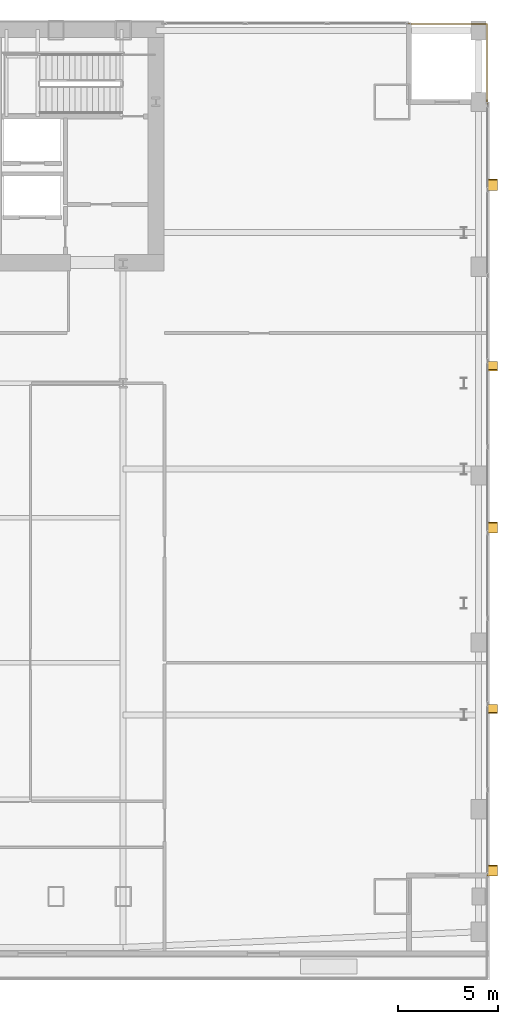
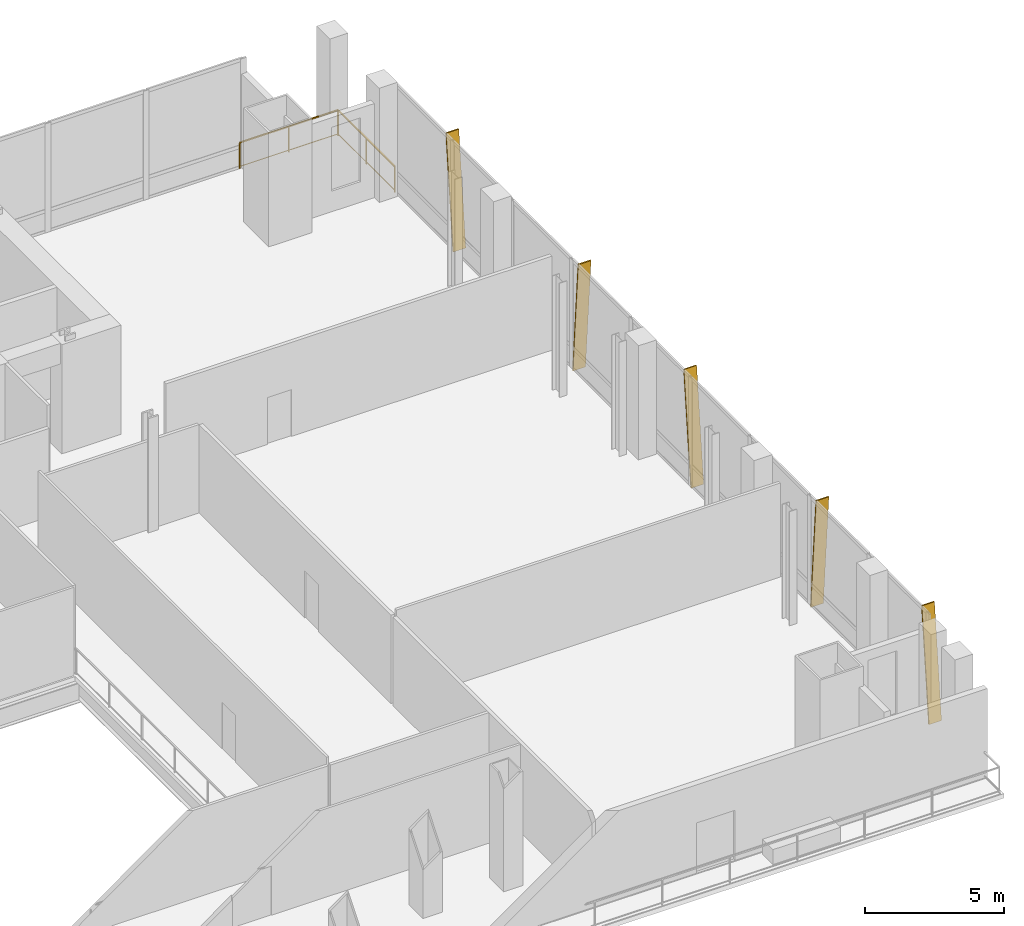
# One storey, part 25 of 25: 5 shading devices, 1 railing.
"""IFC4 building model written with IfcOpenShell, lengths in metres."""

from ifc_helpers import new_model, si_unit, direction, frame, origin, origin_2d, place, context, subcontext, project, spatial, polyline, rectangle, outline, extrude, material, layer, layer_set, type_object, element, save


model = new_model("IFC4")

# Units and contexts
model_context = context("Model", 3, precision=1e-05, world=origin(), true_north=direction((0.0, 1.0)))
body_context = subcontext(model_context, "Body", "Model", "MODEL_VIEW")
ifc_project = project(units=[si_unit("LENGTHUNIT", "METRE"), si_unit("AREAUNIT", "SQUARE_METRE"), si_unit("VOLUMEUNIT", "CUBIC_METRE"), si_unit("PLANEANGLEUNIT", "RADIAN"), si_unit("MASSUNIT", "GRAM", prefix="KILO")], contexts=[model_context])

# Site, building, storey
site_placement = place(None, origin())
site = spatial("IfcSite", under=ifc_project, at=site_placement, CompositionType="ELEMENT")
building_placement = place(site_placement, origin())
building = spatial("IfcBuilding", under=site, at=building_placement, Name="Khoronbel Lancet Exchange", CompositionType="ELEMENT")
storey_placement = place(building_placement, frame((0.0, 0.0, 15.39990234375)))
storey = spatial("IfcBuildingStorey", under=building, at=storey_placement, Name="L03", CompositionType="ELEMENT", Elevation=15.39990234375)

# Railing
ifc_material_1 = material(Name="Bronze-Anodised Stainless Steel", Category="steel")
railing_type = type_object("IfcRailingType", Name="RL-EXT115", PredefinedType="GUARDRAIL", material=ifc_material_1)
railing_placement = place(storey_placement, frame((68.699951171875, 53.580078125, 0.0)))
element("IfcRailing", 1, at=railing_placement, inside=storey, type_object=railing_type, Name="Level L03 north-east colonnade corner loggia guardrail", PredefinedType="GUARDRAIL", context=body_context, shape_type="SweptSolid", body=[
    extrude(rectangle(XDim=0.052001953125, YDim=0.052001953125, at=origin_2d()), frame((0.0, 0.0, 1.1240234375), z_axis=(1.0, 0.0, 0.0), x_axis=(0.0, 1.0, 0.0)), (0.0, 0.0, 1.0), 4.080078125),
    extrude(rectangle(XDim=0.02587890625, YDim=0.02587890625, at=origin_2d()), frame((0.0, 0.0, 0.080078125), z_axis=(1.0, 0.0, 0.0), x_axis=(0.0, 1.0, 0.0)), (0.0, 0.0, 1.0), 4.080078125),
    extrude(rectangle(XDim=0.052001953125, YDim=0.052001953125, at=origin_2d()), frame((4.080078125, 0.0, 1.1240234375), z_axis=(0.0, -1.0, 0.0), x_axis=(1.0, 0.0, 0.0)), (0.0, 0.0, 1.0), 4.080078125),
    extrude(rectangle(XDim=0.02587890625, YDim=0.02587890625, at=origin_2d()), frame((4.080078125, 0.0, 0.080078125), z_axis=(0.0, -1.0, 0.0), x_axis=(1.0, 0.0, 0.0)), (0.0, 0.0, 1.0), 4.080078125),
    extrude(rectangle(XDim=0.0419921875, YDim=0.0419921875, at=origin_2d()), origin(), (0.0, 0.0, 1.0), 1.097900390625),
    extrude(rectangle(XDim=0.0419921875, YDim=0.0419921875, at=origin_2d()), frame((2.0400390625, 0.0, 0.0)), (0.0, 0.0, 1.0), 1.097900390625),
    extrude(rectangle(XDim=0.0419921875, YDim=0.0419921875, at=origin_2d()), frame((4.080078125, 0.0, 0.0)), (0.0, 0.0, 1.0), 1.097900390625),
    extrude(rectangle(XDim=0.0419921875, YDim=0.0419921875, at=origin_2d()), frame((4.080078125, -2.0400390625, 0.0)), (0.0, 0.0, 1.0), 1.097900390625),
    extrude(rectangle(XDim=0.0419921875, YDim=0.0419921875, at=origin_2d()), frame((4.080078125, -4.080078125, 0.0)), (0.0, 0.0, 1.0), 1.097900390625),
])

# Shading devices
ifc_material_2 = material(Name="Bronze-Anodised Aluminium 6063-T6", Category="aluminium")
ifc_layer = layer(ifc_material_2, 0.054931640625, Name="Bronze-Anodised Aluminium 6063-T6")
ifc_layer_set = layer_set([ifc_layer], Name="Bronze-Anodised Aluminium 6063-T6")
shading_device_type = type_object("IfcShadingDeviceType", Name="SHD-FIN1", PredefinedType="USERDEFINED", material=ifc_layer_set)
shading_device_1_placement = place(storey_placement, frame((72.780029296875, 11.172607421875, -0.079833984375), z_axis=(0.0, -0.994733345495, 0.102496689511), x_axis=(1.0, 0.0, 0.0)))
element("IfcShadingDevice", 2, at=shading_device_1_placement, inside=storey, type_object=shading_device_type, Name="Slanted bronze solar fin CW-L03-EAST-0", ObjectType="FIN", PredefinedType="USERDEFINED", context=body_context, shape_type="SweptSolid", body=[
    extrude(outline(polyline([(0.0, 0.0), (0.52001953125, 0.0), (0.52001953125, 4.92578125), (0.0, 4.92578125), (0.0, 0.0)])), origin(), (0.0, 0.0, -1.0), 0.054931640625),
])
shading_device_2_placement = place(storey_placement, frame((72.780029296875, 19.705810546875, -0.079833984375), z_axis=(0.0, 0.996766136852, 0.080357130515), x_axis=(1.0, 0.0, 0.0)))
element("IfcShadingDevice", 3, at=shading_device_2_placement, inside=storey, type_object=shading_device_type, Name="Slanted bronze solar fin CW-L03-EAST-2", ObjectType="FIN", PredefinedType="USERDEFINED", context=body_context, shape_type="SweptSolid", body=[
    extrude(outline(polyline([(0.0, 0.0), (0.52001953125, 0.0), (0.52001953125, -4.915771484375), (0.0, -4.915771484375), (0.0, 0.0)])), origin(), (0.0, 0.0, -1.0), 0.054931640625),
])
shading_device_3_placement = place(storey_placement, frame((72.780029296875, 28.2392578125, -0.079833984375), z_axis=(0.0, -0.994733345495, 0.102496689511), x_axis=(1.0, 0.0, 0.0)))
element("IfcShadingDevice", 4, at=shading_device_3_placement, inside=storey, type_object=shading_device_type, Name="Slanted bronze solar fin CW-L03-EAST-4", ObjectType="FIN", PredefinedType="USERDEFINED", context=body_context, shape_type="SweptSolid", body=[
    extrude(outline(polyline([(0.0, 0.0), (0.52001953125, 0.0), (0.52001953125, 4.92578125), (0.0, 4.92578125), (0.0, 0.0)])), origin(), (0.0, 0.0, -1.0), 0.054931640625),
])
shading_device_4_placement = place(storey_placement, frame((72.780029296875, 36.7724609375, -0.079833984375), z_axis=(0.0, 0.996766136852, 0.080357130515), x_axis=(1.0, 0.0, 0.0)))
element("IfcShadingDevice", 5, at=shading_device_4_placement, inside=storey, type_object=shading_device_type, Name="Slanted bronze solar fin CW-L03-EAST-6", ObjectType="FIN", PredefinedType="USERDEFINED", context=body_context, shape_type="SweptSolid", body=[
    extrude(outline(polyline([(0.0, 0.0), (0.52001953125, 0.0), (0.52001953125, -4.915771484375), (0.0, -4.915771484375), (0.0, 0.0)])), origin(), (0.0, 0.0, -1.0), 0.054931640625),
])
shading_device_5_placement = place(storey_placement, frame((72.780029296875, 45.305908203125, -0.079833984375), z_axis=(0.0, -0.994733345495, 0.102496689511), x_axis=(1.0, 0.0, 0.0)))
element("IfcShadingDevice", 6, at=shading_device_5_placement, inside=storey, type_object=shading_device_type, Name="Slanted bronze solar fin CW-L03-EAST-8", ObjectType="FIN", PredefinedType="USERDEFINED", context=body_context, shape_type="SweptSolid", body=[
    extrude(outline(polyline([(0.0, 0.0), (0.52001953125, 0.0), (0.52001953125, 4.92578125), (0.0, 4.92578125), (0.0, 0.0)])), origin(), (0.0, 0.0, -1.0), 0.054931640625),
])

save(model, "model.ifc")
